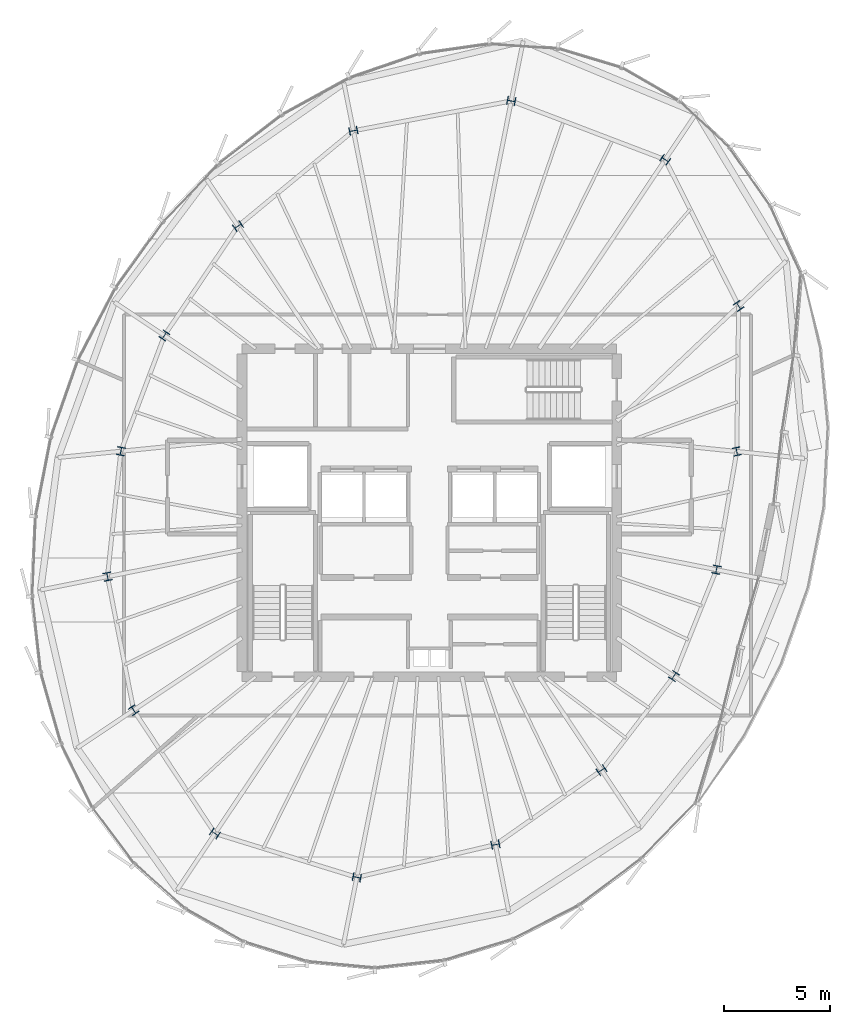
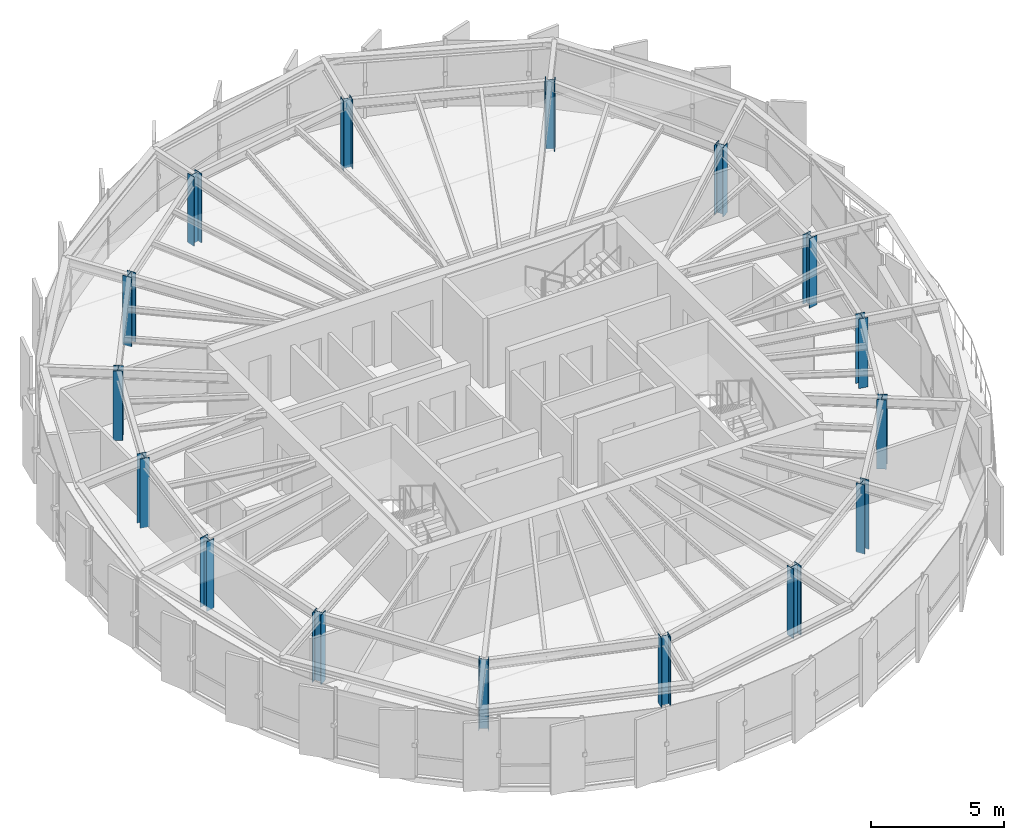
# One storey, part 1 of 31: 16 columns.
"""IFC4 building model written with IfcOpenShell, lengths in metres."""

from ifc_helpers import new_model, si_unit, direction, frame, origin, origin_2d, place, context, subcontext, project, spatial, i_section, extrude, source, transform, mapped, material, material_profile, profile_set, type_object, element, save


model = new_model("IFC4")

# Units and contexts
model_context = context("Model", 3, precision=1e-05, world=origin(), true_north=direction((0.0, 1.0)))
body_context = subcontext(model_context, "Body", "Model", "MODEL_VIEW")
ifc_project = project(units=[si_unit("LENGTHUNIT", "METRE"), si_unit("AREAUNIT", "SQUARE_METRE"), si_unit("VOLUMEUNIT", "CUBIC_METRE"), si_unit("PLANEANGLEUNIT", "RADIAN"), si_unit("MASSUNIT", "GRAM", prefix="KILO"), si_unit("THERMODYNAMICTEMPERATUREUNIT", "KELVIN")], contexts=[model_context])

# Site, building, storey
site_placement = place(None, origin())
site = spatial("IfcSite", under=ifc_project, at=site_placement, CompositionType="ELEMENT")
building_placement = place(site_placement, origin())
building = spatial("IfcBuilding", under=site, at=building_placement, Name="Kethvar Cultural Tower", CompositionType="ELEMENT")
storey_placement = place(building_placement, frame((0.0, 0.0, 300.85009765625)))
storey = spatial("IfcBuildingStorey", under=building, at=storey_placement, Name="L80", CompositionType="ELEMENT", Elevation=300.85009765625)

# Columns
ifc_material = material(Name="Steel S355J2", Category="steel")
ifc_material_profile = material_profile(ifc_material, i_section(OverallWidth=0.3740234375, OverallDepth=0.383056640625, WebThickness=0.0166015625, FlangeThickness=0.026123046875, FilletRadius=0.014892578125, at=origin_2d()), Name="Steel S355J2 — HD360x300")
ifc_profile_set = profile_set([ifc_material_profile], Name="Steel S355J2 — HD360x300")
column_type = type_object("IfcColumnType", Name="COL-HD300", PredefinedType="COLUMN", material=ifc_profile_set)
shared_shape = source(origin(), body_context, "Body", "SweptSolid", [
    extrude(i_section(OverallWidth=0.3740234375, OverallDepth=0.383056640625, WebThickness=0.0166015625, FlangeThickness=0.026123046875, FilletRadius=0.014892578125, at=origin_2d()), origin(), (0.0, 0.0, 1.0), 3.184814453125),
])
for number, where, z_axis, x_axis, name in (
    (1, (61.237060546875, 30.671630859375, 0.0), (0.0, 0.0, 1.0), (0.980785280403, 0.195090322016, 0.0), "L80 Mega-Column MC-01"),
    (2, (61.32568359375, 37.505859375, 0.0), (0.0, 0.0, 1.0), (0.831469612303, 0.55557023302, 0.0), "L80 Mega-Column MC-02"),
    (3, (57.875244140625, 44.375, 0.0), (0.0, 0.0, 1.0), (0.55557023302, 0.831469612303, 0.0), "L80 Mega-Column MC-03"),
    (4, (50.645263671875, 47.131591796875, 0.0), (0.0, 0.0, 1.0), (0.195090322016, 0.980785280403, 0.0), "L80 Mega-Column MC-04"),
    (5, (43.23291015625, 45.732421875, 0.0), (0.0, 0.0, 1.0), (-0.195090322016, 0.980785280403, 0.0), "L80 Mega-Column MC-05"),
    (6, (37.8095703125, 41.255126953125, 0.0), (0.0, 0.0, 1.0), (-0.55557023302, 0.831469612303, 0.0), "L80 Mega-Column MC-06"),
    (7, (34.35595703125, 36.114990234375, 0.0), (0.0, 0.0, 1.0), (-0.831469612303, 0.55557023302, 0.0), "L80 Mega-Column MC-07"),
    (8, (32.3125, 30.681884765625, 0.0), (0.0, 0.0, 1.0), (-0.980785280403, 0.195090322016, 0.0), "L80 Mega-Column MC-08"),
    (9, (31.68310546875, 24.79296875, 0.0), (0.0, 0.0, 1.0), (-0.980785280403, -0.195090322016, 0.0), "L80 Mega-Column MC-09"),
    (10, (32.912841796875, 18.52099609375, 0.0), (0.0, 0.0, 1.0), (-0.831469612303, -0.55557023302, 0.0), "L80 Mega-Column MC-10"),
    (11, (36.731201171875, 12.73095703125, 0.0), (0.0, 0.0, 1.0), (-0.55557023302, -0.831469612303, 0.0), "L80 Mega-Column MC-11"),
    (12, (43.392822265625, 10.67138671875, 0.0), (0.0, 0.0, 1.0), (-0.195090322016, -0.980785280403, 0.0), "L80 Mega-Column MC-12"),
    (13, (49.901611328125, 12.206787109375, 0.0), (0.0, 0.0, 1.0), (0.195090322016, -0.980785280403, 0.0), "L80 Mega-Column MC-13"),
    (14, (54.885009765625, 15.7001953125, 0.0), (0.0, 0.0, 1.0), (0.55557023302, -0.831469612303, 0.0), "L80 Mega-Column MC-14"),
    (15, (58.287109375, 20.12451171875, 0.0), (0.0, 0.0, 1.0), (0.831469612303, -0.55557023302, 0.0), "L80 Mega-Column MC-15"),
    (16, (60.28369140625, 25.117919921875, 0.0), (0.0, 0.0, 1.0), (0.980785280403, -0.195090322016, 0.0), "L80 Mega-Column MC-16"),
):
    element("IfcColumn", number, at=place(storey_placement, frame(where, z_axis=z_axis, x_axis=x_axis)), inside=storey, type_object=column_type, Name=name, PredefinedType="COLUMN", context=body_context, shape_type="MappedRepresentation", body=[
        mapped(shared_shape, transform((0.0, 0.0, 0.0), scale=1.0)),
    ])

save(model, "model.ifc")
